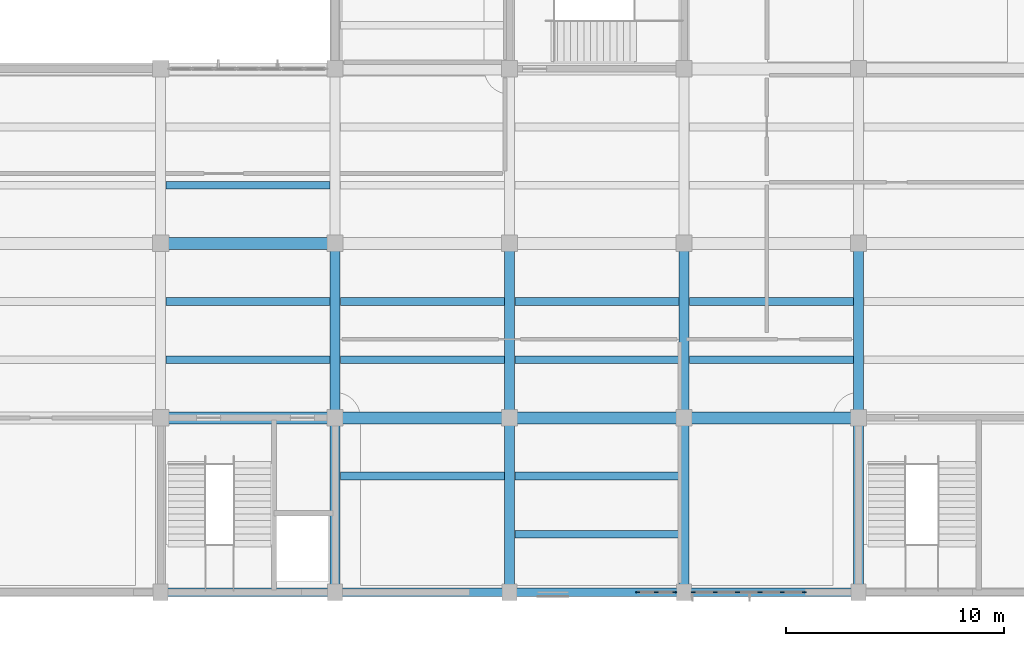
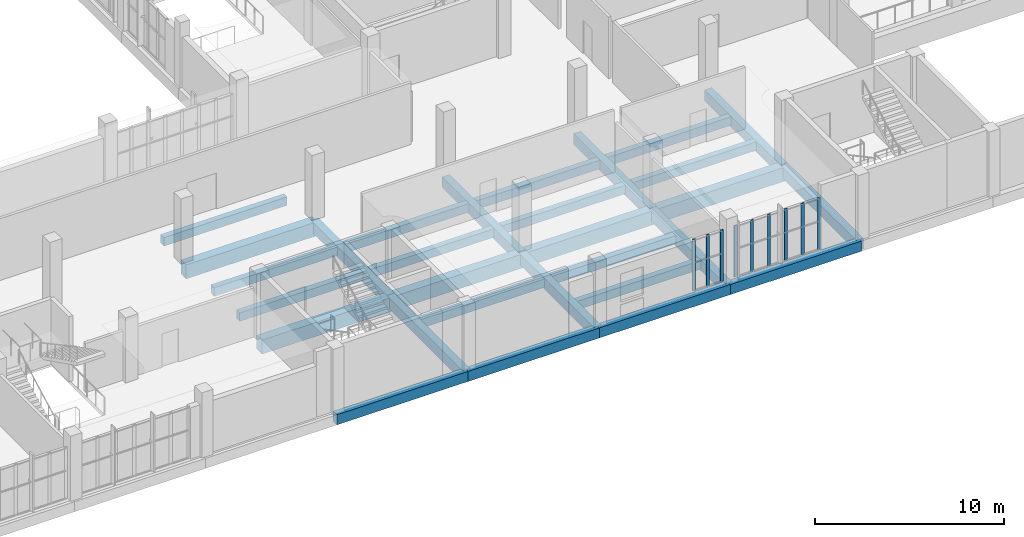
# One storey, part 14 of 85: 29 beams, 9 members, 2 elements without a shape of their own.
"""IFC4 building model written with IfcOpenShell, lengths in metres."""

from ifc_helpers import new_model, si_unit, direction, frame, origin, origin_2d, place, context, subcontext, project, spatial, rectangle, extrude, material, layer, layer_set, material_profile, profile_set, type_object, element, aggregate, save


model = new_model("IFC4")

# Units and contexts
model_context = context("Model", 3, precision=1e-05, world=origin(), true_north=direction((0.0, 1.0)))
body_context = subcontext(model_context, "Body", "Model", "MODEL_VIEW")
ifc_project = project(units=[si_unit("LENGTHUNIT", "METRE"), si_unit("AREAUNIT", "SQUARE_METRE"), si_unit("VOLUMEUNIT", "CUBIC_METRE"), si_unit("PLANEANGLEUNIT", "RADIAN"), si_unit("MASSUNIT", "GRAM", prefix="KILO")], contexts=[model_context])

# Site, building, storey
site_placement = place(None, origin())
site = spatial("IfcSite", under=ifc_project, at=site_placement, CompositionType="ELEMENT")
building_placement = place(site_placement, origin())
building = spatial("IfcBuilding", under=site, at=building_placement, Name="Solvane Community Centre", CompositionType="ELEMENT")
storey_placement = place(building_placement, frame((0.0, 0.0, 5.39990234375)))
storey = spatial("IfcBuildingStorey", under=building, at=storey_placement, Name="L01", CompositionType="ELEMENT", Elevation=5.39990234375)

# Curtain wall, members
ifc_material_1 = material(Name="Anodised bronze aluminium AW-6063 T6", Category="aluminium")
ifc_layer_1 = layer(ifc_material_1, 0.18994140625)
ifc_layer_set_1 = layer_set([ifc_layer_1], Name="Anodised bronze aluminium AW-6063 T6")
curtain_wall_type_1 = type_object("IfcCurtainWallType", Name="Boulevard Bronze Vision Curtain Wall [51x33dm]", PredefinedType="NOTDEFINED", material=ifc_layer_set_1)
curtain_wall_1_placement = place(storey_placement, origin())
curtain_wall_1 = element("IfcCurtainWall", 1, at=curtain_wall_1_placement, inside=storey, type_object=curtain_wall_type_1, Name="Curtain Wall CW-L01-1295_60-076", PredefinedType="NOTDEFINED")
ifc_material_profile_1 = material_profile(ifc_material_1, rectangle(XDim=0.06005859375, YDim=0.18994140625, at=origin_2d()), Name="CW-M 60x190")
ifc_profile_set_1 = profile_set([ifc_material_profile_1], Name="Anodised bronze aluminium AW-6063 T6")
member_type = type_object("IfcMemberType", Name="Boulevard Mullion 60x190", PredefinedType="MULLION", material=ifc_profile_set_1)
member_1_placement = place(storey_placement, frame((129.508544921875, 6.0, 0.0), z_axis=(0.0, 0.0, 1.0), x_axis=(0.0, -1.0, 0.0)))
member_1 = element("IfcMember", 2, at=member_1_placement, type_object=member_type, Name="CW02-51x33 mullion 1", PredefinedType="MULLION", context=body_context, shape_type="SweptSolid", body=[
    extrude(rectangle(XDim=0.06005859375, YDim=0.18994140625, at=origin_2d()), origin(), (0.0, 0.0, 1.0), 3.315185546875),
])
member_2_placement = place(storey_placement, frame((128.509765625, 6.0, 0.0), z_axis=(0.0, 0.0, 1.0), x_axis=(0.0, -1.0, 0.0)))
member_2 = element("IfcMember", 3, at=member_2_placement, type_object=member_type, Name="CW02-51x33 mullion 2", PredefinedType="MULLION", context=body_context, shape_type="SweptSolid", body=[
    extrude(rectangle(XDim=0.06005859375, YDim=0.18994140625, at=origin_2d()), origin(), (0.0, 0.0, 1.0), 3.315185546875),
])
member_3_placement = place(storey_placement, frame((127.481201171875, 6.0, 0.0), z_axis=(0.0, 0.0, 1.0), x_axis=(0.0, -1.0, 0.0)))
member_3 = element("IfcMember", 4, at=member_3_placement, type_object=member_type, Name="CW02-51x33 mullion 3", PredefinedType="MULLION", context=body_context, shape_type="SweptSolid", body=[
    extrude(rectangle(XDim=0.06005859375, YDim=0.18994140625, at=origin_2d()), origin(), (0.0, 0.0, 1.0), 3.315185546875),
])
member_4_placement = place(storey_placement, frame((126.452392578125, 6.0, 0.0), z_axis=(0.0, 0.0, 1.0), x_axis=(0.0, -1.0, 0.0)))
member_4 = element("IfcMember", 5, at=member_4_placement, type_object=member_type, Name="CW02-51x33 mullion 4", PredefinedType="MULLION", context=body_context, shape_type="SweptSolid", body=[
    extrude(rectangle(XDim=0.06005859375, YDim=0.18994140625, at=origin_2d()), origin(), (0.0, 0.0, 1.0), 3.315185546875),
])
member_5_placement = place(storey_placement, frame((125.423583984375, 6.0, 0.0), z_axis=(0.0, 0.0, 1.0), x_axis=(0.0, -1.0, 0.0)))
member_5 = element("IfcMember", 6, at=member_5_placement, type_object=member_type, Name="CW02-51x33 mullion 5", PredefinedType="MULLION", context=body_context, shape_type="SweptSolid", body=[
    extrude(rectangle(XDim=0.06005859375, YDim=0.18994140625, at=origin_2d()), origin(), (0.0, 0.0, 1.0), 3.315185546875),
])
member_6_placement = place(storey_placement, frame((124.425048828125, 6.0, 0.0), z_axis=(0.0, 0.0, 1.0), x_axis=(0.0, -1.0, 0.0)))
member_6 = element("IfcMember", 7, at=member_6_placement, type_object=member_type, Name="CW02-51x33 mullion 6", PredefinedType="MULLION", context=body_context, shape_type="SweptSolid", body=[
    extrude(rectangle(XDim=0.06005859375, YDim=0.18994140625, at=origin_2d()), origin(), (0.0, 0.0, 1.0), 3.315185546875),
])
aggregate(curtain_wall_1, [member_1, member_2, member_3, member_4, member_5, member_6])

ifc_layer_2 = layer(ifc_material_1, 0.18994140625)
ifc_layer_set_2 = layer_set([ifc_layer_2], Name="Anodised bronze aluminium AW-6063 T6")
curtain_wall_type_2 = type_object("IfcCurtainWallType", Name="Boulevard Bronze Vision Curtain Wall [18x33dm]", PredefinedType="NOTDEFINED", material=ifc_layer_set_2)
curtain_wall_2_placement = place(storey_placement, origin())
curtain_wall_2 = element("IfcCurtainWall", 8, at=curtain_wall_2_placement, inside=storey, type_object=curtain_wall_type_2, Name="Curtain Wall CW-L01-1236_60-077", PredefinedType="NOTDEFINED")
member_7_placement = place(storey_placement, frame((123.574951171875, 6.0, 0.0), z_axis=(0.0, 0.0, 1.0), x_axis=(0.0, -1.0, 0.0)))
member_7 = element("IfcMember", 9, at=member_7_placement, type_object=member_type, Name="CW02-18x33 mullion 1", PredefinedType="MULLION", context=body_context, shape_type="SweptSolid", body=[
    extrude(rectangle(XDim=0.06005859375, YDim=0.18994140625, at=origin_2d()), origin(), (0.0, 0.0, 1.0), 3.315185546875),
])
member_8_placement = place(storey_placement, frame((122.7255859375, 6.0, 0.0), z_axis=(0.0, 0.0, 1.0), x_axis=(0.0, -1.0, 0.0)))
member_8 = element("IfcMember", 10, at=member_8_placement, type_object=member_type, Name="CW02-18x33 mullion 2", PredefinedType="MULLION", context=body_context, shape_type="SweptSolid", body=[
    extrude(rectangle(XDim=0.06005859375, YDim=0.18994140625, at=origin_2d()), origin(), (0.0, 0.0, 1.0), 3.315185546875),
])
member_9_placement = place(storey_placement, frame((121.876220703125, 6.0, 0.0), z_axis=(0.0, 0.0, 1.0), x_axis=(0.0, -1.0, 0.0)))
member_9 = element("IfcMember", 11, at=member_9_placement, type_object=member_type, Name="CW02-18x33 mullion 3", PredefinedType="MULLION", context=body_context, shape_type="SweptSolid", body=[
    extrude(rectangle(XDim=0.06005859375, YDim=0.18994140625, at=origin_2d()), origin(), (0.0, 0.0, 1.0), 3.315185546875),
])
aggregate(curtain_wall_2, [member_7, member_8, member_9])

# Beams
ifc_material_2 = material(Name="Concrete C35/45", Category="concrete")
ifc_material_profile_2 = material_profile(ifc_material_2, rectangle(XDim=0.449951171875, YDim=0.699951171875, at=origin_2d()), Name="RC 450x700")
ifc_profile_set_2 = profile_set([ifc_material_profile_2], Name="Concrete C35/45")
beam_type_1 = type_object("IfcBeamType", Name="RC Floor Beam 450x700", PredefinedType="BEAM", material=ifc_profile_set_2)
for number, where, z_axis, x_axis, name in (
    (12, (108.0, 6.0, -0.58984375), (0.0, 1.0, 0.0), (-1.0, 0.0, 0.0), "Beam BM-L01-1080_60-1080_140"),
    (13, (108.0, 14.0, -0.58984375), (0.0, 1.0, 0.0), (-1.0, 0.0, 0.0), "Beam BM-L01-1080_140-1080_220"),
    (14, (116.0, 6.0, -0.58984375), (0.0, 1.0, 0.0), (-1.0, 0.0, 0.0), "Beam BM-L01-1160_60-1160_140"),
    (15, (116.0, 14.0, -0.58984375), (0.0, 1.0, 0.0), (-1.0, 0.0, 0.0), "Beam BM-L01-1160_140-1160_220"),
    (16, (124.0, 6.0, -0.58984375), (0.0, 1.0, 0.0), (-1.0, 0.0, 0.0), "Beam BM-L01-1240_60-1240_140"),
    (17, (124.0, 14.0, -0.58984375), (0.0, 1.0, 0.0), (-1.0, 0.0, 0.0), "Beam BM-L01-1240_140-1240_220"),
    (18, (132.0, 6.0, -0.58984375), (0.0, 1.0, 0.0), (-1.0, 0.0, 0.0), "Beam BM-L01-1320_60-1320_140"),
    (19, (132.0, 14.0, -0.58984375), (0.0, 1.0, 0.0), (-1.0, 0.0, 0.0), "Beam BM-L01-1320_140-1320_220"),
):
    element("IfcBeam", number, at=place(storey_placement, frame(where, z_axis=z_axis, x_axis=x_axis)), inside=storey, type_object=beam_type_1, Name=name, PredefinedType="BEAM", context=body_context, shape_type="SweptSolid", body=[
        extrude(rectangle(XDim=0.449951171875, YDim=0.699951171875, at=origin_2d()), origin(), (0.0, 0.0, 1.0), 8.0),
    ])
ifc_material_profile_3 = material_profile(ifc_material_2, rectangle(XDim=0.550048828125, YDim=0.89990234375, at=origin_2d()), Name="RC 550x900")
ifc_profile_set_3 = profile_set([ifc_material_profile_3], Name="Concrete C35/45")
beam_type_2 = type_object("IfcBeamType", Name="RC Heavy Girder 550x900", PredefinedType="USERDEFINED", material=ifc_profile_set_3)
for number, where, z_axis, x_axis, name in (
    (20, (100.0, 14.0, -0.68994140625), (1.0, 0.0, 0.0), (0.0, 1.0, 0.0), "Beam BM-L01-1000_140-1080_140"),
    (21, (108.0, 14.0, -0.68994140625), (1.0, 0.0, 0.0), (0.0, 1.0, 0.0), "Beam BM-L01-1080_140-1160_140"),
    (22, (116.0, 14.0, -0.68994140625), (1.0, 0.0, 0.0), (0.0, 1.0, 0.0), "Beam BM-L01-1160_140-1240_140"),
    (23, (124.0, 14.0, -0.68994140625), (1.0, 0.0, 0.0), (0.0, 1.0, 0.0), "Beam BM-L01-1240_140-1320_140"),
    (24, (100.0, 22.0, -0.68994140625), (1.0, 0.0, 0.0), (0.0, 1.0, 0.0), "Beam BM-L01-1000_220-1080_220"),
):
    element("IfcBeam", number, at=place(storey_placement, frame(where, z_axis=z_axis, x_axis=x_axis)), inside=storey, type_object=beam_type_2, Name=name, ObjectType="GIRDER", PredefinedType="USERDEFINED", context=body_context, shape_type="SweptSolid", body=[
        extrude(rectangle(XDim=0.550048828125, YDim=0.89990234375, at=origin_2d()), origin(), (0.0, 0.0, 1.0), 8.0),
    ])
ifc_material_profile_4 = material_profile(ifc_material_2, rectangle(XDim=0.35009765625, YDim=0.550048828125, at=origin_2d()), Name="RC 350x550")
ifc_profile_set_4 = profile_set([ifc_material_profile_4], Name="Concrete C35/45")
beam_type_3 = type_object("IfcBeamType", Name="RC Secondary Joist 350x550", PredefinedType="JOIST", material=ifc_profile_set_4)
for number, where, z_axis, x_axis, name in (
    (25, (100.239990234375, 16.666748046875, -0.514892578125), (1.0, 0.0, 0.0), (0.0, 1.0, 0.0), "Beam BM-L01-1002_167-1078_167"),
    (26, (100.239990234375, 19.333251953125, -0.514892578125), (1.0, 0.0, 0.0), (0.0, 1.0, 0.0), "Beam BM-L01-1002_193-1078_193"),
    (27, (100.239990234375, 24.666748046875, -0.514892578125), (1.0, 0.0, 0.0), (0.0, 1.0, 0.0), "Beam BM-L01-1002_247-1078_247"),
    (28, (108.239990234375, 11.333251953125, -0.514892578125), (1.0, 0.0, 0.0), (0.0, 1.0, 0.0), "Beam BM-L01-1082_113-1158_113"),
    (29, (108.239990234375, 16.666748046875, -0.514892578125), (1.0, 0.0, 0.0), (0.0, 1.0, 0.0), "Beam BM-L01-1082_167-1158_167"),
    (30, (108.239990234375, 19.333251953125, -0.514892578125), (1.0, 0.0, 0.0), (0.0, 1.0, 0.0), "Beam BM-L01-1082_193-1158_193"),
    (31, (116.239990234375, 8.666748046875, -0.514892578125), (1.0, 0.0, 0.0), (0.0, 1.0, 0.0), "Beam BM-L01-1162_87-1238_87"),
    (32, (116.239990234375, 11.333251953125, -0.514892578125), (1.0, 0.0, 0.0), (0.0, 1.0, 0.0), "Beam BM-L01-1162_113-1238_113"),
    (33, (116.239990234375, 16.666748046875, -0.514892578125), (1.0, 0.0, 0.0), (0.0, 1.0, 0.0), "Beam BM-L01-1162_167-1238_167"),
    (34, (116.239990234375, 19.333251953125, -0.514892578125), (1.0, 0.0, 0.0), (0.0, 1.0, 0.0), "Beam BM-L01-1162_193-1238_193"),
    (35, (124.239990234375, 16.666748046875, -0.514892578125), (1.0, 0.0, 0.0), (0.0, 1.0, 0.0), "Beam BM-L01-1242_167-1318_167"),
    (36, (124.239990234375, 19.333251953125, -0.514892578125), (1.0, 0.0, 0.0), (0.0, 1.0, 0.0), "Beam BM-L01-1242_193-1318_193"),
):
    element("IfcBeam", number, at=place(storey_placement, frame(where, z_axis=z_axis, x_axis=x_axis)), inside=storey, type_object=beam_type_3, Name=name, PredefinedType="JOIST", context=body_context, shape_type="SweptSolid", body=[
        extrude(rectangle(XDim=0.35009765625, YDim=0.550048828125, at=origin_2d()), origin(), (0.0, 0.0, 1.0), 7.52001953125),
    ])
ifc_material_profile_5 = material_profile(ifc_material_2, rectangle(XDim=0.39990234375, YDim=0.64990234375, at=origin_2d()), Name="RC 400x650")
ifc_profile_set_5 = profile_set([ifc_material_profile_5], Name="Concrete C35/45")
beam_type_4 = type_object("IfcBeamType", Name="RC Spandrel Edge Beam 400x650", PredefinedType="SPANDREL", material=ifc_profile_set_5)
for number, where, z_axis, x_axis, name in (
    (37, (100.0, 6.0, -0.56494140625), (1.0, 0.0, 0.0), (0.0, 1.0, 0.0), "Beam BM-L01-1000_60-1080_60"),
    (38, (108.0, 6.0, -0.56494140625), (1.0, 0.0, 0.0), (0.0, 1.0, 0.0), "Beam BM-L01-1080_60-1160_60"),
    (39, (116.0, 6.0, -0.56494140625), (1.0, 0.0, 0.0), (0.0, 1.0, 0.0), "Beam BM-L01-1160_60-1240_60"),
    (40, (124.0, 6.0, -0.56494140625), (1.0, 0.0, 0.0), (0.0, 1.0, 0.0), "Beam BM-L01-1240_60-1320_60"),
):
    element("IfcBeam", number, at=place(storey_placement, frame(where, z_axis=z_axis, x_axis=x_axis)), inside=storey, type_object=beam_type_4, Name=name, PredefinedType="SPANDREL", context=body_context, shape_type="SweptSolid", body=[
        extrude(rectangle(XDim=0.39990234375, YDim=0.64990234375, at=origin_2d()), origin(), (0.0, 0.0, 1.0), 8.0),
    ])

save(model, "model.ifc")
